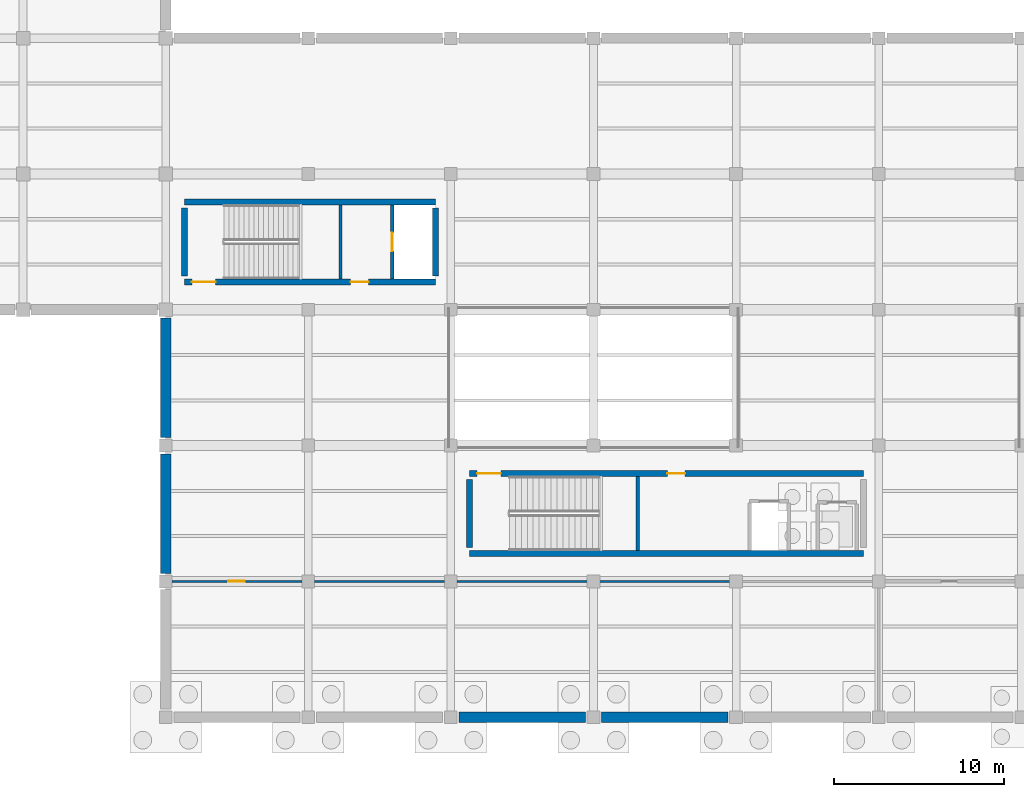
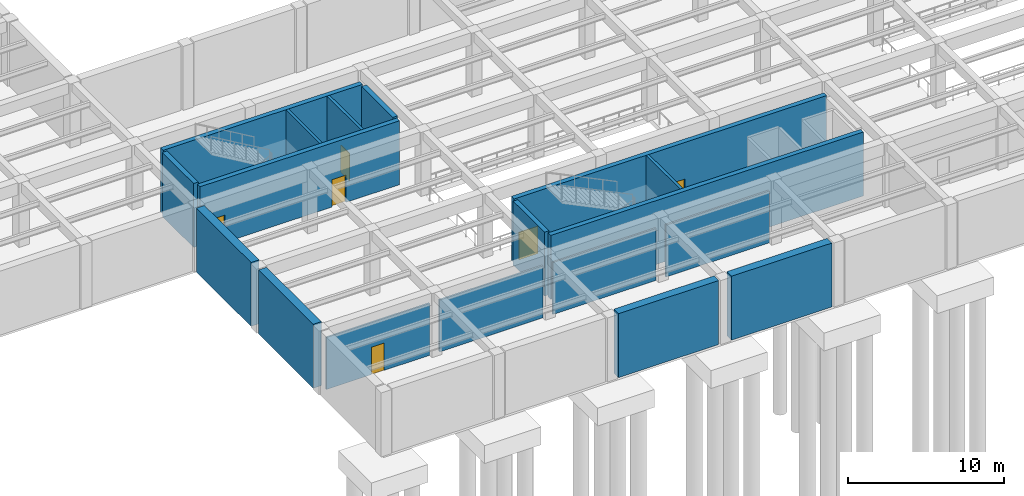
# One storey, part 5 of 16: 18 walls, 6 doors, 6 openings.
"""IFC4 building model written with IfcOpenShell, lengths in metres."""

from ifc_helpers import new_model, si_unit, direction, frame, frame_2d, origin, place, context, subcontext, project, spatial, rectangle, extrude, material, layer, layer_set, type_object, element, fill, save


model = new_model("IFC4")

# Units and contexts
model_context = context("Model", 3, precision=1e-05, world=origin(), true_north=direction((0.0, 1.0)))
body_context = subcontext(model_context, "Body", "Model", "MODEL_VIEW")
ifc_project = project(units=[si_unit("LENGTHUNIT", "METRE"), si_unit("AREAUNIT", "SQUARE_METRE"), si_unit("VOLUMEUNIT", "CUBIC_METRE"), si_unit("PLANEANGLEUNIT", "RADIAN"), si_unit("MASSUNIT", "GRAM", prefix="KILO")], contexts=[model_context])

# Site, building, storey
site_placement = place(None, origin())
site = spatial("IfcSite", under=ifc_project, at=site_placement, CompositionType="ELEMENT")
building_placement = place(site_placement, origin())
building = spatial("IfcBuilding", under=site, at=building_placement, Name="Kranzveld Transit Interchange", CompositionType="ELEMENT")
storey_placement = place(building_placement, frame((0.0, 0.0, -5.43994140625)))
storey = spatial("IfcBuildingStorey", under=building, at=storey_placement, Name="B1", CompositionType="ELEMENT", Elevation=-5.43994140625)

# Wall, openings, doors
ifc_material_1 = material(Name="Concrete C40/50", Category="concrete")
ifc_layer_1 = layer(ifc_material_1, 0.35009765625)
ifc_layer_set_1 = layer_set([ifc_layer_1], Name="Concrete C40/50")
wall_type_1 = type_object("IfcWallType", Name="Core Shear Wall RC 350 C40/50", PredefinedType="SHEAR", material=ifc_layer_set_1)
wall_1_placement = place(storey_placement, frame((34.699951171875, 49.639892578125, 0.0), z_axis=(0.0, 0.0, 1.0), x_axis=(1.0, 0.0, 0.0)))
wall_1 = element("IfcWall", 1, at=wall_1_placement, inside=storey, type_object=wall_type_1, Name="B1 Metro West Core C5 Shear Wall S", PredefinedType="SHEAR", context=body_context, shape_type="SweptSolid", body=[
    extrude(rectangle(XDim=14.800048828125, YDim=0.35009765625, at=frame_2d((7.39990234375, 0.0))), origin(), (0.0, 0.0, 1.0), 5.02001953125),
])
opening_1_placement = place(wall_1_placement, frame((1.849853515625, 0.0, 0.0), z_axis=(0.0, 0.0, 1.0), x_axis=(-1.0, 0.0, 0.0)))
opening_1 = element("IfcOpeningElement", 2, at=opening_1_placement, cuts=wall_1, Name="Opening D-ST-C5-B1", PredefinedType="OPENING", context=body_context, shape_type="SweptSolid", body=[
    extrude(rectangle(XDim=1.39990234375, YDim=2.14990234375, at=frame_2d((0.699951171875, 1.074951171875))), frame((0.0, 0.18505859375, 0.0), z_axis=(0.0, -1.0, 0.0), x_axis=(1.0, 0.0, 0.0)), (0.0, 0.0, 1.0), 0.3701171875),
])
opening_2_placement = place(wall_1_placement, frame((10.85009765625, 0.0, 0.0), z_axis=(0.0, 0.0, 1.0), x_axis=(-1.0, 0.0, 0.0)))
opening_2 = element("IfcOpeningElement", 3, at=opening_2_placement, cuts=wall_1, Name="Opening D-LB-C5-B1", PredefinedType="OPENING", context=body_context, shape_type="SweptSolid", body=[
    extrude(rectangle(XDim=1.050048828125, YDim=2.14990234375, at=frame_2d((0.52490234375, 1.074951171875))), frame((0.0, 0.18505859375, 0.0), z_axis=(0.0, -1.0, 0.0), x_axis=(1.0, 0.0, 0.0)), (0.0, 0.0, 1.0), 0.3701171875),
])
ifc_material_2 = material(Name="Steel S355JR", Category="steel")
door_type_1 = type_object("IfcDoorType", Name="Lift Lobby Fire Door 1050x2150 FD120S", OperationType="NOTDEFINED", PredefinedType="DOOR", material=ifc_material_2)
door_1_placement = place(opening_2_placement, origin())
door_1 = element("IfcDoor", 4, at=door_1_placement, inside=storey, type_object=door_type_1, Name="B1 Metro West Core C5 Lift Protected Lobby Door", OperationType="SINGLE_SWING_RIGHT", OverallHeight=2.14990234375, OverallWidth=1.050048828125, PredefinedType="DOOR", context=body_context, shape_type="SweptSolid", body=[
    extrude(rectangle(XDim=1.050048828125, YDim=2.14990234375, at=frame_2d((0.52490234375, 1.074951171875))), frame((0.0, 0.02490234375, 0.0), z_axis=(0.0, -1.0, 0.0), x_axis=(1.0, 0.0, 0.0)), (0.0, 0.0, 1.0), 0.050048828125),
])
fill(opening_2, door_1)
ifc_material_3 = material(Name="Steel S355JR", Category="steel")
door_type_2 = type_object("IfcDoorType", Name="Metro Stair Double Fire Door 1400x2150 FD120S", OperationType="NOTDEFINED", PredefinedType="DOOR", material=ifc_material_3)
door_2_placement = place(opening_1_placement, origin())
door_2 = element("IfcDoor", 5, at=door_2_placement, inside=storey, type_object=door_type_2, Name="B1 ST-M1 Protected Stair Door", OperationType="DOUBLE_DOOR_SINGLE_SWING", OverallHeight=2.14990234375, OverallWidth=1.39990234375, PredefinedType="DOOR", context=body_context, shape_type="SweptSolid", body=[
    extrude(rectangle(XDim=1.39990234375, YDim=2.14990234375, at=frame_2d((0.699951171875, 1.074951171875))), frame((0.0, 0.02490234375, 0.0), z_axis=(0.0, -1.0, 0.0), x_axis=(1.0, 0.0, 0.0)), (0.0, 0.0, 1.0), 0.050048828125),
])
fill(opening_1, door_2)

# Walls
wall_2_placement = place(storey_placement, frame((34.699951171875, 54.360107421875, 0.0), z_axis=(0.0, 0.0, 1.0), x_axis=(1.0, 0.0, 0.0)))
element("IfcWall", 6, at=wall_2_placement, inside=storey, type_object=wall_type_1, Name="B1 Metro West Core C5 Shear Wall N", PredefinedType="SHEAR", context=body_context, shape_type="SweptSolid", body=[
    extrude(rectangle(XDim=14.800048828125, YDim=0.35009765625, at=frame_2d((7.39990234375, 0.0))), origin(), (0.0, 0.0, 1.0), 5.02001953125),
])
for number, where, z_axis, x_axis, name in (
    (7, (34.699951171875, 49.989990234375, 0.0), (0.0, 0.0, 1.0), (0.0, 1.0, 0.0), "B1 Metro West Core C5 Shear Wall W"),
    (8, (49.5, 49.989990234375, 0.0), (0.0, 0.0, 1.0), (0.0, 1.0, 0.0), "B1 Metro West Core C5 Shear Wall E"),
):
    element("IfcWall", number, at=place(storey_placement, frame(where, z_axis=z_axis, x_axis=x_axis)), inside=storey, type_object=wall_type_1, Name=name, PredefinedType="SHEAR", context=body_context, shape_type="SweptSolid", body=[
        extrude(rectangle(XDim=4.02001953125, YDim=0.35009765625, at=frame_2d((2.010009765625, 0.0))), origin(), (0.0, 0.0, 1.0), 5.02001953125),
    ])
wall_3_placement = place(storey_placement, frame((51.5, 33.639892578125, 0.0), z_axis=(0.0, 0.0, 1.0), x_axis=(1.0, 0.0, 0.0)))
element("IfcWall", 9, at=wall_3_placement, inside=storey, type_object=wall_type_1, Name="B1 Metro East & Bus Mezzanine Core C6 Shear Wall S", PredefinedType="SHEAR", context=body_context, shape_type="SweptSolid", body=[
    extrude(rectangle(XDim=23.199951171875, YDim=0.35009765625, at=frame_2d((11.60009765625, 0.0))), origin(), (0.0, 0.0, 1.0), 5.02001953125),
])

# Wall, openings, doors
wall_4_placement = place(storey_placement, frame((51.5, 38.360107421875, 0.0), z_axis=(0.0, 0.0, 1.0), x_axis=(1.0, 0.0, 0.0)))
wall_4 = element("IfcWall", 10, at=wall_4_placement, inside=storey, type_object=wall_type_1, Name="B1 Metro East & Bus Mezzanine Core C6 Shear Wall N", PredefinedType="SHEAR", context=body_context, shape_type="SweptSolid", body=[
    extrude(rectangle(XDim=23.199951171875, YDim=0.35009765625, at=frame_2d((11.60009765625, 0.0))), origin(), (0.0, 0.0, 1.0), 5.02001953125),
])
opening_3_placement = place(wall_4_placement, frame((0.449951171875, 0.0, 0.0), z_axis=(0.0, 0.0, 1.0), x_axis=(1.0, 0.0, 0.0)))
opening_3 = element("IfcOpeningElement", 11, at=opening_3_placement, cuts=wall_4, Name="Opening D-ST-C6-B1", PredefinedType="OPENING", context=body_context, shape_type="SweptSolid", body=[
    extrude(rectangle(XDim=1.39990234375, YDim=2.14990234375, at=frame_2d((0.699951171875, 1.074951171875))), frame((0.0, 0.18505859375, 0.0), z_axis=(0.0, -1.0, 0.0), x_axis=(1.0, 0.0, 0.0)), (0.0, 0.0, 1.0), 0.3701171875),
])
opening_4_placement = place(wall_4_placement, frame((11.64990234375, 0.0, 0.0), z_axis=(0.0, 0.0, 1.0), x_axis=(1.0, 0.0, 0.0)))
opening_4 = element("IfcOpeningElement", 12, at=opening_4_placement, cuts=wall_4, Name="Opening D-LB-C6-B1", PredefinedType="OPENING", context=body_context, shape_type="SweptSolid", body=[
    extrude(rectangle(XDim=1.050048828125, YDim=2.14990234375, at=frame_2d((0.52490234375, 1.074951171875))), frame((0.0, 0.18505859375, 0.0), z_axis=(0.0, -1.0, 0.0), x_axis=(1.0, 0.0, 0.0)), (0.0, 0.0, 1.0), 0.3701171875),
])
door_3_placement = place(opening_4_placement, origin())
door_3 = element("IfcDoor", 13, at=door_3_placement, inside=storey, type_object=door_type_1, Name="B1 Metro East & Bus Mezzanine Core C6 Lift Protected Lobby Door", OperationType="SINGLE_SWING_RIGHT", OverallHeight=2.14990234375, OverallWidth=1.050048828125, PredefinedType="DOOR", context=body_context, shape_type="SweptSolid", body=[
    extrude(rectangle(XDim=1.050048828125, YDim=2.14990234375, at=frame_2d((0.52490234375, 1.074951171875))), frame((0.0, 0.02490234375, 0.0), z_axis=(0.0, -1.0, 0.0), x_axis=(1.0, 0.0, 0.0)), (0.0, 0.0, 1.0), 0.050048828125),
])
fill(opening_4, door_3)
door_4_placement = place(opening_3_placement, origin())
door_4 = element("IfcDoor", 14, at=door_4_placement, inside=storey, type_object=door_type_2, Name="B1 ST-M2 Protected Stair Door", OperationType="DOUBLE_DOOR_SINGLE_SWING", OverallHeight=2.14990234375, OverallWidth=1.39990234375, PredefinedType="DOOR", context=body_context, shape_type="SweptSolid", body=[
    extrude(rectangle(XDim=1.39990234375, YDim=2.14990234375, at=frame_2d((0.699951171875, 1.074951171875))), frame((0.0, 0.02490234375, 0.0), z_axis=(0.0, -1.0, 0.0), x_axis=(1.0, 0.0, 0.0)), (0.0, 0.0, 1.0), 0.050048828125),
])
fill(opening_3, door_4)

# Wall
wall_5_placement = place(storey_placement, frame((51.5, 33.989990234375, 0.0), z_axis=(0.0, 0.0, 1.0), x_axis=(0.0, 1.0, 0.0)))
element("IfcWall", 15, at=wall_5_placement, inside=storey, type_object=wall_type_1, Name="B1 Metro East & Bus Mezzanine Core C6 Shear Wall W", PredefinedType="SHEAR", context=body_context, shape_type="SweptSolid", body=[
    extrude(rectangle(XDim=4.02001953125, YDim=0.35009765625, at=frame_2d((2.010009765625, 0.0))), origin(), (0.0, 0.0, 1.0), 5.02001953125),
])

# Wall, opening, door
ifc_material_4 = material(Name="Clay masonry unit wall, 20 MPa", Category="masonry")
ifc_layer_2 = layer(ifc_material_4, 0.125)
ifc_layer_set_2 = layer_set([ifc_layer_2], Name="Clay masonry unit wall, 20 MPa")
wall_type_2 = type_object("IfcWallType", Name="Internal Blockwork Partition 125", PredefinedType="PARTITIONING", material=ifc_layer_set_2)
wall_6_placement = place(storey_placement, frame((33.965087890625, 32.0, 0.0), z_axis=(0.0, 0.0, 1.0), x_axis=(1.0, 0.0, 0.0)))
wall_6 = element("IfcWall", 16, at=wall_6_placement, inside=storey, type_object=wall_type_2, Name="B1 Partition IW-B1-B1S-FRT-B106-0", PredefinedType="PARTITIONING", context=body_context, shape_type="SweptSolid", body=[
    extrude(rectangle(XDim=7.669921875, YDim=0.125, at=frame_2d((3.8349609375, 0.0))), origin(), (0.0, 0.0, 1.0), 4.06982421875),
])
opening_5_placement = place(wall_6_placement, frame((4.284912109375, 0.0, 0.0), z_axis=(0.0, 0.0, 1.0), x_axis=(-1.0, 0.0, 0.0)))
opening_5 = element("IfcOpeningElement", 17, at=opening_5_placement, cuts=wall_6, Name="Opening D-B106", PredefinedType="OPENING", context=body_context, shape_type="SweptSolid", body=[
    extrude(rectangle(XDim=0.949951171875, YDim=2.14990234375, at=frame_2d((0.47509765625, 1.074951171875))), frame((0.0, 0.072509765625, 0.0), z_axis=(0.0, -1.0, 0.0), x_axis=(1.0, 0.0, 0.0)), (0.0, 0.0, 1.0), 0.14501953125),
])
ifc_material_5 = material(Name="Bronze-anodised thermally broken aluminium", Category="aluminium")
door_type_3 = type_object("IfcDoorType", Name="Internal Office Door 950x2150", OperationType="NOTDEFINED", PredefinedType="DOOR", material=ifc_material_5)
door_5_placement = place(opening_5_placement, origin())
door_5 = element("IfcDoor", 18, at=door_5_placement, inside=storey, type_object=door_type_3, Name="B1 Interior Door D-B106", OperationType="SINGLE_SWING_LEFT", OverallHeight=2.14990234375, OverallWidth=0.949951171875, PredefinedType="DOOR", context=body_context, shape_type="SweptSolid", body=[
    extrude(rectangle(XDim=0.949951171875, YDim=2.14990234375, at=frame_2d((0.47509765625, 1.074951171875))), frame((0.0, 0.02490234375, 0.0), z_axis=(0.0, -1.0, 0.0), x_axis=(1.0, 0.0, 0.0)), (0.0, 0.0, 1.0), 0.050048828125),
])
fill(opening_5, door_5)

# Walls
wall_7_placement = place(storey_placement, frame((42.364990234375, 32.0, 0.0), z_axis=(0.0, 0.0, 1.0), x_axis=(1.0, 0.0, 0.0)))
element("IfcWall", 19, at=wall_7_placement, inside=storey, type_object=wall_type_2, Name="B1 Partition IW-B1-B1S-FRT-B106-1", PredefinedType="PARTITIONING", context=body_context, shape_type="SweptSolid", body=[
    extrude(rectangle(XDim=7.669921875, YDim=0.125, at=frame_2d((3.8349609375, 0.0))), origin(), (0.0, 0.0, 1.0), 4.06982421875),
])
wall_8_placement = place(storey_placement, frame((50.764892578125, 32.0, 0.0), z_axis=(0.0, 0.0, 1.0), x_axis=(1.0, 0.0, 0.0)))
element("IfcWall", 20, at=wall_8_placement, inside=storey, type_object=wall_type_2, Name="B1 Partition IW-B1-B1S-FRT-B106-2", PredefinedType="PARTITIONING", context=body_context, shape_type="SweptSolid", body=[
    extrude(rectangle(XDim=7.670166015625, YDim=0.125, at=frame_2d((3.8349609375, 0.0))), origin(), (0.0, 0.0, 1.0), 4.06982421875),
])
wall_9_placement = place(storey_placement, frame((59.1650390625, 32.0, 0.0), z_axis=(0.0, 0.0, 1.0), x_axis=(1.0, 0.0, 0.0)))
element("IfcWall", 21, at=wall_9_placement, inside=storey, type_object=wall_type_2, Name="B1 Partition IW-B1-B1S-FRT-B106-3", PredefinedType="PARTITIONING", context=body_context, shape_type="SweptSolid", body=[
    extrude(rectangle(XDim=7.669921875, YDim=0.125, at=frame_2d((3.8349609375, 0.0))), origin(), (0.0, 0.0, 1.0), 4.06982421875),
])
ifc_material_6 = material(Name="Concrete C40/50", Category="concrete")
ifc_layer_3 = layer(ifc_material_6, 0.199951171875)
ifc_layer_set_3 = layer_set([ifc_layer_3], Name="Concrete C40/50")
wall_type_3 = type_object("IfcWallType", Name="Lift Shaft Enclosure Wall RC 200 EI120", PredefinedType="SHEAR", material=ifc_layer_set_3)
wall_10_placement = place(storey_placement, frame((43.89990234375, 49.81494140625, 0.0), z_axis=(0.0, 0.0, 1.0), x_axis=(0.0, 1.0, 0.0)))
element("IfcWall", 22, at=wall_10_placement, inside=storey, type_object=wall_type_3, Name="B1 Metro West Core C5 Stair-Lobby Dividing Wall", PredefinedType="SHEAR", context=body_context, shape_type="SweptSolid", body=[
    extrude(rectangle(XDim=4.3701171875, YDim=0.199951171875, at=frame_2d((2.18505859375, 0.0))), origin(), (0.0, 0.0, 1.0), 5.02001953125),
])

# Wall, opening, door
wall_11_placement = place(storey_placement, frame((46.949951171875, 49.81494140625, 0.0), z_axis=(0.0, 0.0, 1.0), x_axis=(0.0, 1.0, 0.0)))
wall_11 = element("IfcWall", 23, at=wall_11_placement, inside=storey, type_object=wall_type_3, Name="B1 LF-M1 Shaft Front Wall", PredefinedType="SHEAR", context=body_context, shape_type="SweptSolid", body=[
    extrude(rectangle(XDim=4.3701171875, YDim=0.199951171875, at=frame_2d((2.18505859375, 0.0))), origin(), (0.0, 0.0, 1.0), 5.02001953125),
])
opening_6_placement = place(wall_11_placement, frame((1.635009765625, 0.0, 0.0), z_axis=(0.0, 0.0, 1.0), x_axis=(1.0, 0.0, 0.0)))
opening_6 = element("IfcOpeningElement", 24, at=opening_6_placement, cuts=wall_11, Name="Opening LD-LF-M1-B1", PredefinedType="OPENING", context=body_context, shape_type="SweptSolid", body=[
    extrude(rectangle(XDim=1.10009765625, YDim=2.14990234375, at=frame_2d((0.550048828125, 1.074951171875))), frame((0.0, 0.10986328125, 0.0), z_axis=(0.0, -1.0, 0.0), x_axis=(1.0, 0.0, 0.0)), (0.0, 0.0, 1.0), 0.219970703125),
])
ifc_material_7 = material(Name="Steel S355JR", Category="steel")
door_type_4 = type_object("IfcDoorType", Name="Lift Landing Sliding Door 1100x2150 FD120S", OperationType="NOTDEFINED", PredefinedType="DOOR", material=ifc_material_7)
door_6_placement = place(opening_6_placement, origin())
door_6 = element("IfcDoor", 25, at=door_6_placement, inside=storey, type_object=door_type_4, Name="B1 LF-M1 Sliding Landing Door", OperationType="DOUBLE_DOOR_SLIDING", OverallHeight=2.14990234375, OverallWidth=1.10009765625, PredefinedType="DOOR", context=body_context, shape_type="SweptSolid", body=[
    extrude(rectangle(XDim=1.10009765625, YDim=2.14990234375, at=frame_2d((0.550048828125, 1.074951171875))), frame((0.0, 0.02490234375, 0.0), z_axis=(0.0, -1.0, 0.0), x_axis=(1.0, 0.0, 0.0)), (0.0, 0.0, 1.0), 0.050048828125),
])
fill(opening_6, door_6)

# Walls
wall_12_placement = place(storey_placement, frame((61.39990234375, 33.81494140625, 0.0), z_axis=(0.0, 0.0, 1.0), x_axis=(0.0, 1.0, 0.0)))
element("IfcWall", 26, at=wall_12_placement, inside=storey, type_object=wall_type_3, Name="B1 Metro East & Bus Mezzanine Core C6 Stair-Lobby Dividing Wall", PredefinedType="SHEAR", context=body_context, shape_type="SweptSolid", body=[
    extrude(rectangle(XDim=4.3701171875, YDim=0.199951171875, at=frame_2d((2.18505859375, 0.0))), origin(), (0.0, 0.0, 1.0), 5.02001953125),
])
ifc_material_8 = material(Name="Concrete C40/50", Category="concrete")
ifc_layer_4 = layer(ifc_material_8, 0.60009765625)
ifc_layer_set_4 = layer_set([ifc_layer_4], Name="Concrete C40/50")
wall_type_4 = type_object("IfcWallType", Name="Retaining Wall RC 600 C40/50", PredefinedType="SOLIDWALL", material=ifc_layer_set_4)
wall_13_placement = place(storey_placement, frame((50.8798828125, 24.0, 0.0), z_axis=(0.0, 0.0, 1.0), x_axis=(1.0, 0.0, 0.0)))
element("IfcWall", 27, at=wall_13_placement, inside=storey, type_object=wall_type_4, Name="B1 Perimeter Retaining Wall 3", PredefinedType="SOLIDWALL", context=body_context, shape_type="SweptSolid", body=[
    extrude(rectangle(XDim=7.440185546875, YDim=0.60009765625, at=frame_2d((3.72021484375, 0.0))), origin(), (0.0, 0.0, 1.0), 5.02001953125),
])
wall_14_placement = place(storey_placement, frame((59.280029296875, 24.0, 0.0), z_axis=(0.0, 0.0, 1.0), x_axis=(1.0, 0.0, 0.0)))
element("IfcWall", 28, at=wall_14_placement, inside=storey, type_object=wall_type_4, Name="B1 Perimeter Retaining Wall 4", PredefinedType="SOLIDWALL", context=body_context, shape_type="SweptSolid", body=[
    extrude(rectangle(XDim=7.43994140625, YDim=0.60009765625, at=frame_2d((3.719970703125, 0.0))), origin(), (0.0, 0.0, 1.0), 5.02001953125),
])
for number, where, z_axis, x_axis, name in (
    (29, (33.60009765625, 32.47998046875, 0.0), (0.0, 0.0, 1.0), (0.0, 1.0, 0.0), "B1 Perimeter Retaining Wall 13"),
    (30, (33.60009765625, 40.47998046875, 0.0), (0.0, 0.0, 1.0), (0.0, 1.0, 0.0), "B1 Perimeter Retaining Wall 14"),
):
    element("IfcWall", number, at=place(storey_placement, frame(where, z_axis=z_axis, x_axis=x_axis)), inside=storey, type_object=wall_type_4, Name=name, PredefinedType="SOLIDWALL", context=body_context, shape_type="SweptSolid", body=[
        extrude(rectangle(XDim=7.0400390625, YDim=0.60009765625, at=frame_2d((3.52001953125, 0.0))), origin(), (0.0, 0.0, 1.0), 5.02001953125),
    ])

save(model, "model.ifc")
